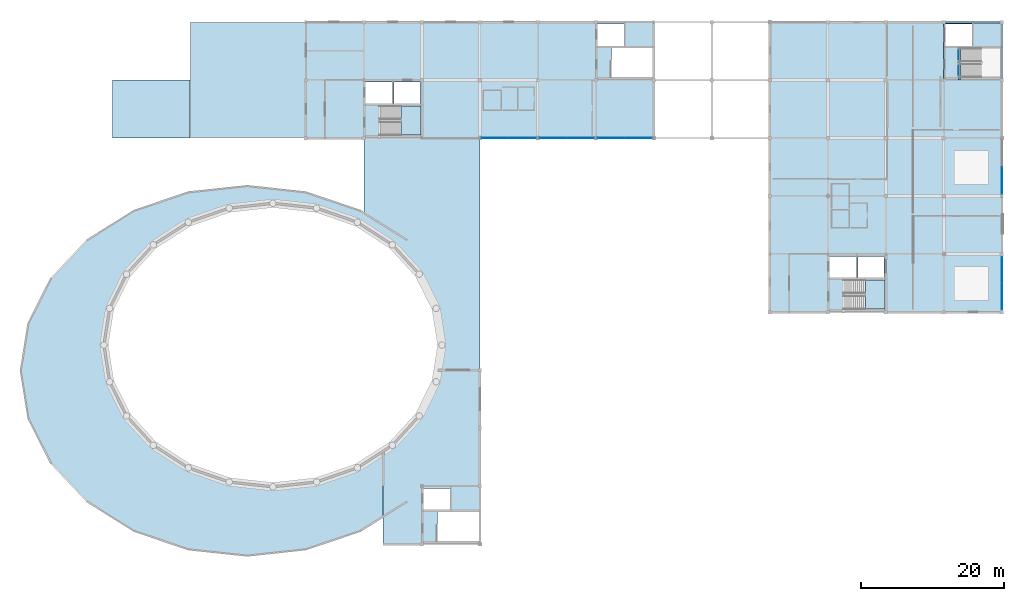
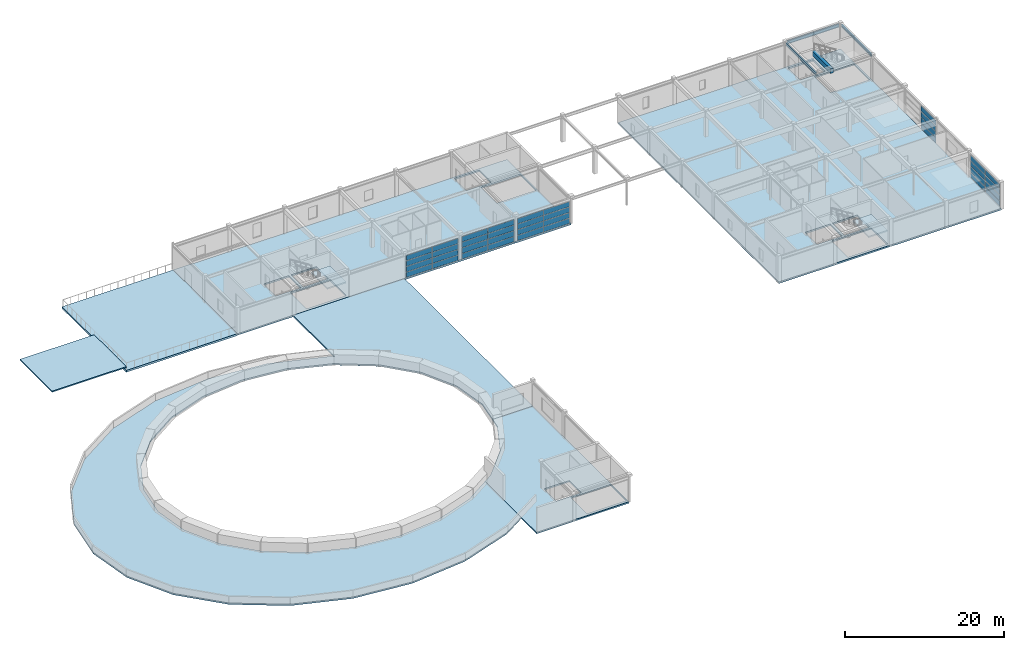
# One storey, part 14 of 26: 36 plates, 8 slabs, 4 beams, 7 elements without a shape of their own.
"""IFC4 building model written with IfcOpenShell, lengths in metres."""

from ifc_helpers import new_model, si_unit, direction, frame, origin, origin_2d, place, context, subcontext, project, spatial, polyline, rectangle, i_section, outline, extrude, material, layer, layer_set, material_profile, profile_set, type_object, element, aggregate, save


model = new_model("IFC4")

# Units and contexts
model_context = context("Model", 3, precision=1e-05, world=origin(), true_north=direction((0.0, 1.0)))
body_context = subcontext(model_context, "Body", "Model", "MODEL_VIEW")
ifc_project = project(units=[si_unit("LENGTHUNIT", "METRE"), si_unit("AREAUNIT", "SQUARE_METRE"), si_unit("VOLUMEUNIT", "CUBIC_METRE"), si_unit("PLANEANGLEUNIT", "RADIAN"), si_unit("MASSUNIT", "GRAM", prefix="KILO")], contexts=[model_context])

# Site, building, storey
site_placement = place(None, origin())
site = spatial("IfcSite", under=ifc_project, at=site_placement, CompositionType="ELEMENT")
building_placement = place(site_placement, origin())
building = spatial("IfcBuilding", under=site, at=building_placement, Name="Parian Resonance Hall", CompositionType="ELEMENT")
storey_placement = place(building_placement, frame((0.0, 0.0, 19.199951171875)))
storey = spatial("IfcBuildingStorey", under=building, at=storey_placement, Name="L04", CompositionType="ELEMENT", Elevation=19.199951171875)

# Beams
ifc_material_1 = material(Name="Concrete C40/50", Category="concrete")
ifc_material_profile_1 = material_profile(ifc_material_1, rectangle(XDim=0.39990234375, YDim=0.699951171875, at=origin_2d()), Name="RC-BM-400x700")
ifc_profile_set_1 = profile_set([ifc_material_profile_1], Name="Concrete C40/50")
beam_type_1 = type_object("IfcBeamType", Name="BM-RC400x700", PredefinedType="BEAM", material=ifc_profile_set_1)
beam_1_placement = place(storey_placement, frame((139.840087890625, 81.0, 3.610107421875), z_axis=(0.0, 1.0, 0.0), x_axis=(-1.0, 0.0, 0.0)))
element("IfcBeam", 1, at=beam_1_placement, inside=storey, type_object=beam_type_1, Name="Core K6 stair arrival trimmer beam L04", PredefinedType="BEAM", context=body_context, shape_type="SweptSolid", body=[
    extrude(rectangle(XDim=0.39990234375, YDim=0.699951171875, at=origin_2d()), origin(), (0.0, 0.0, 1.0), 4.610107421875),
])
ifc_material_2 = material(Name="Steel S355", Category="steel")
ifc_material_profile_2 = material_profile(ifc_material_2, i_section(OverallWidth=0.2548828125, OverallDepth=0.35693359375, WebThickness=0.010498046875, FlangeThickness=0.018310546875, FilletRadius=0.01513671875, at=origin_2d()), Name="W360x101")
ifc_profile_set_2 = profile_set([ifc_material_profile_2], Name="Steel S355")
beam_type_2 = type_object("IfcBeamType", Name="BM-W360x101", PredefinedType="SPANDREL", material=ifc_profile_set_2)
beam_2_placement = place(storey_placement, frame((145.800048828125, 81.25, 3.781494140625), z_axis=(0.0, 1.0, 0.0), x_axis=(-1.0, 0.0, 0.0)))
element("IfcBeam", 2, at=beam_2_placement, inside=storey, type_object=beam_type_2, Name="GY-L04-1012", PredefinedType="SPANDREL", context=body_context, shape_type="SweptSolid", body=[
    extrude(i_section(OverallWidth=0.2548828125, OverallDepth=0.35693359375, WebThickness=0.010498046875, FlangeThickness=0.018310546875, FilletRadius=0.01513671875, at=origin_2d()), origin(), (0.0, 0.0, 1.0), 7.60009765625),
])
ifc_material_3 = material(Name="Steel S355", Category="steel")
ifc_material_profile_3 = material_profile(ifc_material_3, i_section(OverallWidth=0.180908203125, OverallDepth=0.4169921875, WebThickness=0.010986328125, FlangeThickness=0.018310546875, FilletRadius=0.01513671875, at=origin_2d()), Name="W410x85")
ifc_profile_set_3 = profile_set([ifc_material_profile_3], Name="Steel S355")
beam_type_3 = type_object("IfcBeamType", Name="BM-W410x85", PredefinedType="SPANDREL", material=ifc_profile_set_3)
beam_3_placement = place(storey_placement, frame((137.699951171875, 81.154052734375, 3.75146484375), z_axis=(0.0, 1.0, 0.0), x_axis=(-1.0, 0.0, 0.0)))
element("IfcBeam", 3, at=beam_3_placement, inside=storey, type_object=beam_type_3, Name="GY-L04-1007", PredefinedType="SPANDREL", context=body_context, shape_type="SweptSolid", body=[
    extrude(i_section(OverallWidth=0.180908203125, OverallDepth=0.4169921875, WebThickness=0.010986328125, FlangeThickness=0.018310546875, FilletRadius=0.01513671875, at=origin_2d()), origin(), (0.0, 0.0, 1.0), 7.696044921875),
])
ifc_material_4 = material(Name="Steel S355", Category="steel")
ifc_material_profile_4 = material_profile(ifc_material_4, i_section(OverallWidth=0.194091796875, OverallDepth=0.468994140625, WebThickness=0.0126953125, FlangeThickness=0.0205078125, FilletRadius=0.01513671875, at=origin_2d()), Name="W460x106")
ifc_profile_set_4 = profile_set([ifc_material_profile_4], Name="Steel S355")
beam_type_4 = type_object("IfcBeamType", Name="BM-W460x106", PredefinedType="SPANDREL", material=ifc_profile_set_4)
beam_4_placement = place(storey_placement, frame((137.949951171875, 89.10009765625, 3.7255859375), z_axis=(1.0, 0.0, 0.0), x_axis=(0.0, 1.0, 0.0)))
element("IfcBeam", 4, at=beam_4_placement, inside=storey, type_object=beam_type_4, Name="GX-L04-0967", PredefinedType="SPANDREL", context=body_context, shape_type="SweptSolid", body=[
    extrude(i_section(OverallWidth=0.194091796875, OverallDepth=0.468994140625, WebThickness=0.0126953125, FlangeThickness=0.0205078125, FilletRadius=0.01513671875, at=origin_2d()), origin(), (0.0, 0.0, 1.0), 7.60009765625),
])

# Curtain wall, plates
ifc_material_5 = material(Name="Bronze-anodised aluminium frame", Category="aluminium")
curtain_wall_type_1 = type_object("IfcCurtainWallType", Name="CW-SYS-01", PredefinedType="NOTDEFINED", material=ifc_material_5)
curtain_wall_1_placement = place(storey_placement, origin())
curtain_wall_1 = element("IfcCurtainWall", 5, at=curtain_wall_1_placement, inside=storey, type_object=curtain_wall_type_1, Name="Curtain wall CW-L04-150", PredefinedType="NOTDEFINED")
ifc_material_6 = material(Name="Acoustic laminated double glazing", Category="glass")
ifc_layer_1 = layer(ifc_material_6, 0.02197265625)
ifc_layer_set_1 = layer_set([ifc_layer_1], Name="Acoustic laminated double glazing")
plate_type_1 = type_object("IfcPlateType", Name="CWP-IGU22", PredefinedType="CURTAIN_PANEL", material=ifc_layer_set_1)
plate_1_placement = place(storey_placement, frame((145.800048828125, 54.4912109375, 0.06689453125), z_axis=(0.0, 0.0, 1.0), x_axis=(0.0, -1.0, 0.0)))
plate_1 = element("IfcPlate", 6, at=plate_1_placement, type_object=plate_type_1, Name="CW-01 panel 1.1", PredefinedType="CURTAIN_PANEL", context=body_context, shape_type="SweptSolid", body=[
    extrude(rectangle(XDim=3.607421875, YDim=0.02197265625, at=origin_2d()), origin(), (0.0, 0.0, 1.0), 0.794677734375),
])
plate_2_placement = place(storey_placement, frame((145.800048828125, 54.4912109375, 0.936767578125), z_axis=(0.0, 0.0, 1.0), x_axis=(0.0, -1.0, 0.0)))
plate_2 = element("IfcPlate", 7, at=plate_2_placement, type_object=plate_type_1, Name="CW-01 panel 1.2", PredefinedType="CURTAIN_PANEL", context=body_context, shape_type="SweptSolid", body=[
    extrude(rectangle(XDim=3.607421875, YDim=0.02197265625, at=origin_2d()), origin(), (0.0, 0.0, 1.0), 0.82421875),
])
plate_3_placement = place(storey_placement, frame((145.800048828125, 54.4912109375, 1.836181640625), z_axis=(0.0, 0.0, 1.0), x_axis=(0.0, -1.0, 0.0)))
plate_3 = element("IfcPlate", 8, at=plate_3_placement, type_object=plate_type_1, Name="CW-01 panel 1.3", PredefinedType="CURTAIN_PANEL", context=body_context, shape_type="SweptSolid", body=[
    extrude(rectangle(XDim=3.607421875, YDim=0.02197265625, at=origin_2d()), origin(), (0.0, 0.0, 1.0), 0.82421875),
])
plate_4_placement = place(storey_placement, frame((145.800048828125, 54.4912109375, 2.7353515625), z_axis=(0.0, 0.0, 1.0), x_axis=(0.0, -1.0, 0.0)))
plate_4 = element("IfcPlate", 9, at=plate_4_placement, type_object=plate_type_1, Name="CW-01 panel 1.4", PredefinedType="CURTAIN_PANEL", context=body_context, shape_type="SweptSolid", body=[
    extrude(rectangle(XDim=3.607421875, YDim=0.02197265625, at=origin_2d()), origin(), (0.0, 0.0, 1.0), 0.796630859375),
])
plate_5_placement = place(storey_placement, frame((145.800048828125, 50.808837890625, 0.06689453125), z_axis=(0.0, 0.0, 1.0), x_axis=(0.0, -1.0, 0.0)))
plate_5 = element("IfcPlate", 10, at=plate_5_placement, type_object=plate_type_1, Name="CW-01 panel 2.1", PredefinedType="CURTAIN_PANEL", context=body_context, shape_type="SweptSolid", body=[
    extrude(rectangle(XDim=3.607421875, YDim=0.02197265625, at=origin_2d()), origin(), (0.0, 0.0, 1.0), 0.794677734375),
])
plate_6_placement = place(storey_placement, frame((145.800048828125, 50.808837890625, 0.936767578125), z_axis=(0.0, 0.0, 1.0), x_axis=(0.0, -1.0, 0.0)))
plate_6 = element("IfcPlate", 11, at=plate_6_placement, type_object=plate_type_1, Name="CW-01 panel 2.2", PredefinedType="CURTAIN_PANEL", context=body_context, shape_type="SweptSolid", body=[
    extrude(rectangle(XDim=3.607421875, YDim=0.02197265625, at=origin_2d()), origin(), (0.0, 0.0, 1.0), 0.82421875),
])
plate_7_placement = place(storey_placement, frame((145.800048828125, 50.808837890625, 1.836181640625), z_axis=(0.0, 0.0, 1.0), x_axis=(0.0, -1.0, 0.0)))
plate_7 = element("IfcPlate", 12, at=plate_7_placement, type_object=plate_type_1, Name="CW-01 panel 2.3", PredefinedType="CURTAIN_PANEL", context=body_context, shape_type="SweptSolid", body=[
    extrude(rectangle(XDim=3.607421875, YDim=0.02197265625, at=origin_2d()), origin(), (0.0, 0.0, 1.0), 0.82421875),
])
plate_8_placement = place(storey_placement, frame((145.800048828125, 50.808837890625, 2.7353515625), z_axis=(0.0, 0.0, 1.0), x_axis=(0.0, -1.0, 0.0)))
plate_8 = element("IfcPlate", 13, at=plate_8_placement, type_object=plate_type_1, Name="CW-01 panel 2.4", PredefinedType="CURTAIN_PANEL", context=body_context, shape_type="SweptSolid", body=[
    extrude(rectangle(XDim=3.607421875, YDim=0.02197265625, at=origin_2d()), origin(), (0.0, 0.0, 1.0), 0.796630859375),
])
aggregate(curtain_wall_1, [plate_1, plate_2, plate_3, plate_4, plate_5, plate_6, plate_7, plate_8])

curtain_wall_2_placement = place(storey_placement, origin())
curtain_wall_2 = element("IfcCurtainWall", 14, at=curtain_wall_2_placement, inside=storey, type_object=curtain_wall_type_1, Name="Curtain wall CW-L04-109", PredefinedType="NOTDEFINED")
ifc_material_7 = material(Name="Acoustic laminated double glazing", Category="glass")
ifc_layer_2 = layer(ifc_material_7, 0.031982421875)
ifc_layer_set_2 = layer_set([ifc_layer_2], Name="Acoustic laminated double glazing")
plate_type_2 = type_object("IfcPlateType", Name="CWP-IGU32", PredefinedType="CURTAIN_PANEL", material=ifc_layer_set_2)
plate_9_placement = place(storey_placement, frame((78.856201171875, 72.89990234375, 0.05712890625), z_axis=(0.0, 0.0, 1.0), x_axis=(-1.0, 0.0, 0.0)))
plate_9 = element("IfcPlate", 15, at=plate_9_placement, type_object=plate_type_2, Name="CW-01 panel 1.1", PredefinedType="CURTAIN_PANEL", context=body_context, shape_type="SweptSolid", body=[
    extrude(rectangle(XDim=3.74755859375, YDim=0.031982421875, at=origin_2d()), origin(), (0.0, 0.0, 1.0), 0.78173828125),
])
plate_10_placement = place(storey_placement, frame((78.856201171875, 72.89990234375, 0.90380859375), z_axis=(0.0, 0.0, 1.0), x_axis=(-1.0, 0.0, 0.0)))
plate_10 = element("IfcPlate", 16, at=plate_10_placement, type_object=plate_type_2, Name="CW-01 panel 1.2", PredefinedType="CURTAIN_PANEL", context=body_context, shape_type="SweptSolid", body=[
    extrude(rectangle(XDim=3.74755859375, YDim=0.031982421875, at=origin_2d()), origin(), (0.0, 0.0, 1.0), 0.806396484375),
])
plate_11_placement = place(storey_placement, frame((78.856201171875, 72.89990234375, 1.775146484375), z_axis=(0.0, 0.0, 1.0), x_axis=(-1.0, 0.0, 0.0)))
plate_11 = element("IfcPlate", 17, at=plate_11_placement, type_object=plate_type_2, Name="CW-01 panel 1.3", PredefinedType="CURTAIN_PANEL", context=body_context, shape_type="SweptSolid", body=[
    extrude(rectangle(XDim=3.74755859375, YDim=0.031982421875, at=origin_2d()), origin(), (0.0, 0.0, 1.0), 0.80615234375),
])
plate_12_placement = place(storey_placement, frame((78.856201171875, 72.89990234375, 2.646240234375), z_axis=(0.0, 0.0, 1.0), x_axis=(-1.0, 0.0, 0.0)))
plate_12 = element("IfcPlate", 18, at=plate_12_placement, type_object=plate_type_2, Name="CW-01 panel 1.4", PredefinedType="CURTAIN_PANEL", context=body_context, shape_type="SweptSolid", body=[
    extrude(rectangle(XDim=3.74755859375, YDim=0.031982421875, at=origin_2d()), origin(), (0.0, 0.0, 1.0), 0.78369140625),
])
plate_13_placement = place(storey_placement, frame((75.043701171875, 72.89990234375, 0.05712890625), z_axis=(0.0, 0.0, 1.0), x_axis=(-1.0, 0.0, 0.0)))
plate_13 = element("IfcPlate", 19, at=plate_13_placement, type_object=plate_type_2, Name="CW-01 panel 2.1", PredefinedType="CURTAIN_PANEL", context=body_context, shape_type="SweptSolid", body=[
    extrude(rectangle(XDim=3.74755859375, YDim=0.031982421875, at=origin_2d()), origin(), (0.0, 0.0, 1.0), 0.78173828125),
])
plate_14_placement = place(storey_placement, frame((75.043701171875, 72.89990234375, 0.90380859375), z_axis=(0.0, 0.0, 1.0), x_axis=(-1.0, 0.0, 0.0)))
plate_14 = element("IfcPlate", 20, at=plate_14_placement, type_object=plate_type_2, Name="CW-01 panel 2.2", PredefinedType="CURTAIN_PANEL", context=body_context, shape_type="SweptSolid", body=[
    extrude(rectangle(XDim=3.74755859375, YDim=0.031982421875, at=origin_2d()), origin(), (0.0, 0.0, 1.0), 0.806396484375),
])
plate_15_placement = place(storey_placement, frame((75.043701171875, 72.89990234375, 1.775146484375), z_axis=(0.0, 0.0, 1.0), x_axis=(-1.0, 0.0, 0.0)))
plate_15 = element("IfcPlate", 21, at=plate_15_placement, type_object=plate_type_2, Name="CW-01 panel 2.3", PredefinedType="CURTAIN_PANEL", context=body_context, shape_type="SweptSolid", body=[
    extrude(rectangle(XDim=3.74755859375, YDim=0.031982421875, at=origin_2d()), origin(), (0.0, 0.0, 1.0), 0.80615234375),
])
plate_16_placement = place(storey_placement, frame((75.043701171875, 72.89990234375, 2.646240234375), z_axis=(0.0, 0.0, 1.0), x_axis=(-1.0, 0.0, 0.0)))
plate_16 = element("IfcPlate", 22, at=plate_16_placement, type_object=plate_type_2, Name="CW-01 panel 2.4", PredefinedType="CURTAIN_PANEL", context=body_context, shape_type="SweptSolid", body=[
    extrude(rectangle(XDim=3.74755859375, YDim=0.031982421875, at=origin_2d()), origin(), (0.0, 0.0, 1.0), 0.78369140625),
])
aggregate(curtain_wall_2, [plate_9, plate_10, plate_11, plate_12, plate_13, plate_14, plate_15, plate_16])

ifc_material_8 = material(Name="Bronze-anodised aluminium frame", Category="aluminium")
curtain_wall_type_2 = type_object("IfcCurtainWallType", Name="CW-SYS-02", PredefinedType="NOTDEFINED", material=ifc_material_8)
curtain_wall_3_placement = place(storey_placement, origin())
curtain_wall_3 = element("IfcCurtainWall", 23, at=curtain_wall_3_placement, inside=storey, type_object=curtain_wall_type_2, Name="Curtain wall CW-L04-115", PredefinedType="NOTDEFINED")
plate_17_placement = place(storey_placement, frame((86.956298828125, 72.89990234375, 0.05712890625), z_axis=(0.0, 0.0, 1.0), x_axis=(-1.0, 0.0, 0.0)))
plate_17 = element("IfcPlate", 24, at=plate_17_placement, type_object=plate_type_2, Name="CW-02 panel 1.1", PredefinedType="CURTAIN_PANEL", context=body_context, shape_type="SweptSolid", body=[
    extrude(rectangle(XDim=3.74755859375, YDim=0.031982421875, at=origin_2d()), origin(), (0.0, 0.0, 1.0), 0.794677734375),
])
plate_18_placement = place(storey_placement, frame((86.956298828125, 72.89990234375, 0.916748046875), z_axis=(0.0, 0.0, 1.0), x_axis=(-1.0, 0.0, 0.0)))
plate_18 = element("IfcPlate", 25, at=plate_18_placement, type_object=plate_type_2, Name="CW-02 panel 1.2", PredefinedType="CURTAIN_PANEL", context=body_context, shape_type="SweptSolid", body=[
    extrude(rectangle(XDim=3.74755859375, YDim=0.031982421875, at=origin_2d()), origin(), (0.0, 0.0, 1.0), 0.8193359375),
])
plate_19_placement = place(storey_placement, frame((86.956298828125, 72.89990234375, 1.801025390625), z_axis=(0.0, 0.0, 1.0), x_axis=(-1.0, 0.0, 0.0)))
plate_19 = element("IfcPlate", 26, at=plate_19_placement, type_object=plate_type_2, Name="CW-02 panel 1.3", PredefinedType="CURTAIN_PANEL", context=body_context, shape_type="SweptSolid", body=[
    extrude(rectangle(XDim=3.74755859375, YDim=0.031982421875, at=origin_2d()), origin(), (0.0, 0.0, 1.0), 0.8193359375),
])
plate_20_placement = place(storey_placement, frame((86.956298828125, 72.89990234375, 2.685546875), z_axis=(0.0, 0.0, 1.0), x_axis=(-1.0, 0.0, 0.0)))
plate_20 = element("IfcPlate", 27, at=plate_20_placement, type_object=plate_type_2, Name="CW-02 panel 1.4", PredefinedType="CURTAIN_PANEL", context=body_context, shape_type="SweptSolid", body=[
    extrude(rectangle(XDim=3.74755859375, YDim=0.031982421875, at=origin_2d()), origin(), (0.0, 0.0, 1.0), 0.796630859375),
])
plate_21_placement = place(storey_placement, frame((83.143798828125, 72.89990234375, 0.05712890625), z_axis=(0.0, 0.0, 1.0), x_axis=(-1.0, 0.0, 0.0)))
plate_21 = element("IfcPlate", 28, at=plate_21_placement, type_object=plate_type_2, Name="CW-02 panel 2.1", PredefinedType="CURTAIN_PANEL", context=body_context, shape_type="SweptSolid", body=[
    extrude(rectangle(XDim=3.74755859375, YDim=0.031982421875, at=origin_2d()), origin(), (0.0, 0.0, 1.0), 0.794677734375),
])
plate_22_placement = place(storey_placement, frame((83.143798828125, 72.89990234375, 0.916748046875), z_axis=(0.0, 0.0, 1.0), x_axis=(-1.0, 0.0, 0.0)))
plate_22 = element("IfcPlate", 29, at=plate_22_placement, type_object=plate_type_2, Name="CW-02 panel 2.2", PredefinedType="CURTAIN_PANEL", context=body_context, shape_type="SweptSolid", body=[
    extrude(rectangle(XDim=3.74755859375, YDim=0.031982421875, at=origin_2d()), origin(), (0.0, 0.0, 1.0), 0.8193359375),
])
plate_23_placement = place(storey_placement, frame((83.143798828125, 72.89990234375, 1.801025390625), z_axis=(0.0, 0.0, 1.0), x_axis=(-1.0, 0.0, 0.0)))
plate_23 = element("IfcPlate", 30, at=plate_23_placement, type_object=plate_type_2, Name="CW-02 panel 2.3", PredefinedType="CURTAIN_PANEL", context=body_context, shape_type="SweptSolid", body=[
    extrude(rectangle(XDim=3.74755859375, YDim=0.031982421875, at=origin_2d()), origin(), (0.0, 0.0, 1.0), 0.8193359375),
])
plate_24_placement = place(storey_placement, frame((83.143798828125, 72.89990234375, 2.685546875), z_axis=(0.0, 0.0, 1.0), x_axis=(-1.0, 0.0, 0.0)))
plate_24 = element("IfcPlate", 31, at=plate_24_placement, type_object=plate_type_2, Name="CW-02 panel 2.4", PredefinedType="CURTAIN_PANEL", context=body_context, shape_type="SweptSolid", body=[
    extrude(rectangle(XDim=3.74755859375, YDim=0.031982421875, at=origin_2d()), origin(), (0.0, 0.0, 1.0), 0.796630859375),
])
aggregate(curtain_wall_3, [plate_17, plate_18, plate_19, plate_20, plate_21, plate_22, plate_23, plate_24])

ifc_material_9 = material(Name="Bronze-anodised aluminium frame", Category="aluminium")
curtain_wall_type_3 = type_object("IfcCurtainWallType", Name="CW-SYS-03", PredefinedType="NOTDEFINED", material=ifc_material_9)
curtain_wall_4_placement = place(storey_placement, origin())
curtain_wall_4 = element("IfcCurtainWall", 32, at=curtain_wall_4_placement, inside=storey, type_object=curtain_wall_type_3, Name="Curtain wall CW-L04-121", PredefinedType="NOTDEFINED")
plate_25_placement = place(storey_placement, frame((95.05615234375, 72.89990234375, 0.05712890625), z_axis=(0.0, 0.0, 1.0), x_axis=(-1.0, 0.0, 0.0)))
plate_25 = element("IfcPlate", 33, at=plate_25_placement, type_object=plate_type_2, Name="CW-03 panel 1.1", PredefinedType="CURTAIN_PANEL", context=body_context, shape_type="SweptSolid", body=[
    extrude(rectangle(XDim=3.74755859375, YDim=0.031982421875, at=origin_2d()), origin(), (0.0, 0.0, 1.0), 0.78173828125),
])
plate_26_placement = place(storey_placement, frame((95.05615234375, 72.89990234375, 0.90380859375), z_axis=(0.0, 0.0, 1.0), x_axis=(-1.0, 0.0, 0.0)))
plate_26 = element("IfcPlate", 34, at=plate_26_placement, type_object=plate_type_2, Name="CW-03 panel 1.2", PredefinedType="CURTAIN_PANEL", context=body_context, shape_type="SweptSolid", body=[
    extrude(rectangle(XDim=3.74755859375, YDim=0.031982421875, at=origin_2d()), origin(), (0.0, 0.0, 1.0), 0.806396484375),
])
plate_27_placement = place(storey_placement, frame((95.05615234375, 72.89990234375, 1.775146484375), z_axis=(0.0, 0.0, 1.0), x_axis=(-1.0, 0.0, 0.0)))
plate_27 = element("IfcPlate", 35, at=plate_27_placement, type_object=plate_type_2, Name="CW-03 panel 1.3", PredefinedType="CURTAIN_PANEL", context=body_context, shape_type="SweptSolid", body=[
    extrude(rectangle(XDim=3.74755859375, YDim=0.031982421875, at=origin_2d()), origin(), (0.0, 0.0, 1.0), 0.80615234375),
])
plate_28_placement = place(storey_placement, frame((95.05615234375, 72.89990234375, 2.646240234375), z_axis=(0.0, 0.0, 1.0), x_axis=(-1.0, 0.0, 0.0)))
plate_28 = element("IfcPlate", 36, at=plate_28_placement, type_object=plate_type_2, Name="CW-03 panel 1.4", PredefinedType="CURTAIN_PANEL", context=body_context, shape_type="SweptSolid", body=[
    extrude(rectangle(XDim=3.74755859375, YDim=0.031982421875, at=origin_2d()), origin(), (0.0, 0.0, 1.0), 0.78369140625),
])
plate_29_placement = place(storey_placement, frame((91.24365234375, 72.89990234375, 0.05712890625), z_axis=(0.0, 0.0, 1.0), x_axis=(-1.0, 0.0, 0.0)))
plate_29 = element("IfcPlate", 37, at=plate_29_placement, type_object=plate_type_2, Name="CW-03 panel 2.1", PredefinedType="CURTAIN_PANEL", context=body_context, shape_type="SweptSolid", body=[
    extrude(rectangle(XDim=3.74755859375, YDim=0.031982421875, at=origin_2d()), origin(), (0.0, 0.0, 1.0), 0.78173828125),
])
plate_30_placement = place(storey_placement, frame((91.24365234375, 72.89990234375, 0.90380859375), z_axis=(0.0, 0.0, 1.0), x_axis=(-1.0, 0.0, 0.0)))
plate_30 = element("IfcPlate", 38, at=plate_30_placement, type_object=plate_type_2, Name="CW-03 panel 2.2", PredefinedType="CURTAIN_PANEL", context=body_context, shape_type="SweptSolid", body=[
    extrude(rectangle(XDim=3.74755859375, YDim=0.031982421875, at=origin_2d()), origin(), (0.0, 0.0, 1.0), 0.806396484375),
])
plate_31_placement = place(storey_placement, frame((91.24365234375, 72.89990234375, 1.775146484375), z_axis=(0.0, 0.0, 1.0), x_axis=(-1.0, 0.0, 0.0)))
plate_31 = element("IfcPlate", 39, at=plate_31_placement, type_object=plate_type_2, Name="CW-03 panel 2.3", PredefinedType="CURTAIN_PANEL", context=body_context, shape_type="SweptSolid", body=[
    extrude(rectangle(XDim=3.74755859375, YDim=0.031982421875, at=origin_2d()), origin(), (0.0, 0.0, 1.0), 0.80615234375),
])
plate_32_placement = place(storey_placement, frame((91.24365234375, 72.89990234375, 2.646240234375), z_axis=(0.0, 0.0, 1.0), x_axis=(-1.0, 0.0, 0.0)))
plate_32 = element("IfcPlate", 40, at=plate_32_placement, type_object=plate_type_2, Name="CW-03 panel 2.4", PredefinedType="CURTAIN_PANEL", context=body_context, shape_type="SweptSolid", body=[
    extrude(rectangle(XDim=3.74755859375, YDim=0.031982421875, at=origin_2d()), origin(), (0.0, 0.0, 1.0), 0.78369140625),
])
aggregate(curtain_wall_4, [plate_25, plate_26, plate_27, plate_28, plate_29, plate_30, plate_31, plate_32])

curtain_wall_5_placement = place(storey_placement, origin())
curtain_wall_5 = element("IfcCurtainWall", 41, at=curtain_wall_5_placement, inside=storey, type_object=curtain_wall_type_3, Name="Curtain wall CW-L04-151", PredefinedType="NOTDEFINED")
plate_33_placement = place(storey_placement, frame((145.800048828125, 66.965576171875, 0.05712890625), z_axis=(0.0, 0.0, 1.0), x_axis=(0.0, -1.0, 0.0)))
plate_33 = element("IfcPlate", 42, at=plate_33_placement, type_object=plate_type_2, Name="CW-03 panel 2.1", PredefinedType="CURTAIN_PANEL", context=body_context, shape_type="SweptSolid", body=[
    extrude(rectangle(XDim=3.73291015625, YDim=0.031982421875, at=origin_2d()), origin(), (0.0, 0.0, 1.0), 0.809814453125),
])
plate_34_placement = place(storey_placement, frame((145.800048828125, 66.965576171875, 0.931640625), z_axis=(0.0, 0.0, 1.0), x_axis=(0.0, -1.0, 0.0)))
plate_34 = element("IfcPlate", 43, at=plate_34_placement, type_object=plate_type_2, Name="CW-03 panel 2.2", PredefinedType="CURTAIN_PANEL", context=body_context, shape_type="SweptSolid", body=[
    extrude(rectangle(XDim=3.73291015625, YDim=0.031982421875, at=origin_2d()), origin(), (0.0, 0.0, 1.0), 0.834228515625),
])
plate_35_placement = place(storey_placement, frame((145.800048828125, 66.965576171875, 1.8310546875), z_axis=(0.0, 0.0, 1.0), x_axis=(0.0, -1.0, 0.0)))
plate_35 = element("IfcPlate", 44, at=plate_35_placement, type_object=plate_type_2, Name="CW-03 panel 2.3", PredefinedType="CURTAIN_PANEL", context=body_context, shape_type="SweptSolid", body=[
    extrude(rectangle(XDim=3.73291015625, YDim=0.031982421875, at=origin_2d()), origin(), (0.0, 0.0, 1.0), 0.834228515625),
])
plate_36_placement = place(storey_placement, frame((145.800048828125, 66.965576171875, 2.73046875), z_axis=(0.0, 0.0, 1.0), x_axis=(0.0, -1.0, 0.0)))
plate_36 = element("IfcPlate", 45, at=plate_36_placement, type_object=plate_type_2, Name="CW-03 panel 2.4", PredefinedType="CURTAIN_PANEL", context=body_context, shape_type="SweptSolid", body=[
    extrude(rectangle(XDim=3.73291015625, YDim=0.031982421875, at=origin_2d()), origin(), (0.0, 0.0, 1.0), 0.811767578125),
])
aggregate(curtain_wall_5, [plate_33, plate_34, plate_35, plate_36])

# Slabs
ifc_material_10 = material(Name="Concrete C35/45", Category="concrete")
ifc_layer_3 = layer(ifc_material_10, 0.219970703125)
ifc_layer_set_3 = layer_set([ifc_layer_3], Name="Concrete C35/45")
slab_type_1 = type_object("IfcSlabType", Name="SLB-FLR-220", PredefinedType="FLOOR", material=ifc_layer_set_3)
slab_1_placement = place(storey_placement, frame((0.0, 0.0, -0.219970703125)))
element("IfcSlab", 46, at=slab_1_placement, inside=storey, type_object=slab_type_1, Name="L04 main hall south-east gallery slab", PredefinedType="FLOOR", context=body_context, shape_type="SweptSolid", body=[
    extrude(outline(polyline([(72.89990234375, 40.5), (67.05078125, 40.5), (66.7958984375, 38.87548828125), (64.438232421875, 34.10009765625), (60.687744140625, 29.999267578125), (59.39990234375, 29.17041015625), (59.39990234375, 16.199951171875), (72.89990234375, 16.199951171875), (72.89990234375, 40.5)]), holes=[polyline([(66.9951171875, 20.699951171875), (72.760009765625, 20.699951171875), (72.760009765625, 16.60009765625), (66.9951171875, 16.60009765625), (66.9951171875, 20.699951171875)]), polyline([(65.0400390625, 24.0), (68.699951171875, 24.0), (68.699951171875, 20.949951171875), (65.0400390625, 20.949951171875), (65.0400390625, 24.0)])]), origin(), (0.0, 0.0, 1.0), 0.219970703125),
])
ifc_material_11 = material(Name="Concrete C35/45", Category="concrete")
ifc_layer_4 = layer(ifc_material_11, 0.239990234375)
ifc_layer_set_4 = layer_set([ifc_layer_4], Name="Concrete C35/45")
slab_type_2 = type_object("IfcSlabType", Name="SLB-FLR-240", PredefinedType="FLOOR", material=ifc_layer_set_4)
slab_2_placement = place(storey_placement, frame((0.0, 0.0, -0.239990234375)))
element("IfcSlab", 47, at=slab_2_placement, inside=storey, type_object=slab_type_2, Name="L04 panorama gallery and archive link slab", PredefinedType="FLOOR", context=body_context, shape_type="SweptSolid", body=[
    extrude(outline(polyline([(48.60009765625, 72.89990234375), (97.199951171875, 72.89990234375), (97.199951171875, 89.10009765625), (48.60009765625, 89.10009765625), (48.60009765625, 72.89990234375)]), holes=[polyline([(64.659912109375, 77.39990234375), (64.659912109375, 73.300048828125), (58.89501953125, 73.300048828125), (58.89501953125, 77.39990234375), (64.659912109375, 77.39990234375)]), polyline([(60.60009765625, 80.699951171875), (60.60009765625, 77.64990234375), (56.93994140625, 77.64990234375), (56.93994140625, 80.699951171875), (60.60009765625, 80.699951171875)]), polyline([(64.56005859375, 80.699951171875), (64.56005859375, 77.64990234375), (60.89990234375, 77.64990234375), (60.89990234375, 80.699951171875), (64.56005859375, 80.699951171875)]), polyline([(97.02001953125, 81.39990234375), (91.27490234375, 81.39990234375), (91.27490234375, 85.4599609375), (97.02001953125, 85.4599609375), (97.02001953125, 81.39990234375)]), polyline([(93.0, 85.75), (89.340087890625, 85.75), (89.340087890625, 88.800048828125), (93.0, 88.800048828125), (93.0, 85.75)])]), origin(), (0.0, 0.0, 1.0), 0.239990234375),
])
ifc_material_12 = material(Name="Concrete C35/45", Category="concrete")
ifc_layer_5 = layer(ifc_material_12, 0.25)
ifc_layer_set_5 = layer_set([ifc_layer_5], Name="Concrete C35/45")
slab_type_3 = type_object("IfcSlabType", Name="SLB-FLR-250", PredefinedType="FLOOR", material=ifc_layer_set_5)
slab_3_placement = place(storey_placement, frame((0.0, 0.0, -0.25)))
element("IfcSlab", 48, at=slab_3_placement, inside=storey, type_object=slab_type_3, Name="Music archive and artistic administration L04 slab", PredefinedType="FLOOR", context=body_context, shape_type="SweptSolid", body=[
    extrude(outline(polyline([(113.39990234375, 48.60009765625), (145.800048828125, 48.60009765625), (145.800048828125, 89.10009765625), (113.39990234375, 89.10009765625), (113.39990234375, 48.60009765625)]), holes=[polyline([(129.4599609375, 53.10009765625), (129.4599609375, 49.0), (123.695068359375, 49.0), (123.695068359375, 53.10009765625), (129.4599609375, 53.10009765625)]), polyline([(125.39990234375, 56.39990234375), (125.39990234375, 53.35009765625), (121.739990234375, 53.35009765625), (121.739990234375, 56.39990234375), (125.39990234375, 56.39990234375)]), polyline([(129.360107421875, 56.39990234375), (129.360107421875, 53.35009765625), (125.699951171875, 53.35009765625), (125.699951171875, 56.39990234375), (129.360107421875, 56.39990234375)]), polyline([(145.6201171875, 81.39990234375), (139.875, 81.39990234375), (139.875, 85.4599609375), (145.6201171875, 85.4599609375), (145.6201171875, 81.39990234375)]), polyline([(141.60009765625, 85.75), (137.93994140625, 85.75), (137.93994140625, 88.800048828125), (141.60009765625, 88.800048828125), (141.60009765625, 85.75)])]), origin(), (0.0, 0.0, 1.0), 0.25),
])

# Stair, slab
ifc_material_13 = material(Name="Concrete C40/50", Category="concrete")
stair_type = type_object("IfcStairType", Name="STAIR-CORE-1850", PredefinedType="HALF_TURN_STAIR", material=ifc_material_13)
stair_1_placement = place(storey_placement, origin())
stair_1 = element("IfcStair", 49, at=stair_1_placement, inside=storey, type_object=stair_type, Name="L04 ST-01", PredefinedType="HALF_TURN_STAIR")
ifc_material_14 = material(Name="Concrete C40/50", Category="concrete")
ifc_layer_6 = layer(ifc_material_14, 0.199951171875)
ifc_layer_set_6 = layer_set([ifc_layer_6], Name="Concrete C40/50")
slab_type_4 = type_object("IfcSlabType", Name="SLB-LANDING-200", PredefinedType="LANDING", material=ifc_layer_set_6)
slab_4_placement = place(storey_placement, frame((0.0, 0.0, 1.900146484375)))
slab_4 = element("IfcSlab", 50, at=slab_4_placement, type_object=slab_type_4, Name="ST-01 landing 1", PredefinedType="LANDING", context=body_context, shape_type="SweptSolid", body=[
    extrude(outline(polyline([(61.919921875, 73.300048828125), (64.659912109375, 73.300048828125), (64.659912109375, 77.39990234375), (61.919921875, 77.39990234375), (61.919921875, 73.300048828125)])), origin(), (0.0, 0.0, 1.0), 0.199951171875),
])
aggregate(stair_1, [slab_4])

stair_2_placement = place(storey_placement, origin())
stair_2 = element("IfcStair", 51, at=stair_2_placement, inside=storey, type_object=stair_type, Name="L04 ST-02", PredefinedType="HALF_TURN_STAIR")
slab_5_placement = place(storey_placement, frame((0.0, 0.0, 1.900146484375)))
slab_5 = element("IfcSlab", 52, at=slab_5_placement, type_object=slab_type_4, Name="ST-02 landing 1", PredefinedType="LANDING", context=body_context, shape_type="SweptSolid", body=[
    extrude(outline(polyline([(126.719970703125, 49.0), (129.4599609375, 49.0), (129.4599609375, 53.10009765625), (126.719970703125, 53.10009765625), (126.719970703125, 49.0)])), origin(), (0.0, 0.0, 1.0), 0.199951171875),
])
aggregate(stair_2, [slab_5])

# Slabs
ifc_material_15 = material(Name="Concrete C35/45", Category="concrete")
ifc_layer_7 = layer(ifc_material_15, 0.2099609375)
ifc_layer_set_7 = layer_set([ifc_layer_7], Name="Concrete C35/45")
slab_type_5 = type_object("IfcSlabType", Name="SLB-ROOF-180", PredefinedType="ROOF", material=ifc_layer_set_7)
slab_6_placement = place(storey_placement, frame((0.0, 0.0, 0.420166015625)))
element("IfcSlab", 53, at=slab_6_placement, inside=storey, type_object=slab_type_5, Name="Core K4 head-house roof slab", PredefinedType="ROOF", context=body_context, shape_type="SweptSolid", body=[
    extrude(outline(polyline([(21.60009765625, 72.89990234375), (32.39990234375, 72.89990234375), (32.39990234375, 81.0), (21.60009765625, 81.0), (21.60009765625, 72.89990234375)])), origin(), (0.0, 0.0, 1.0), 0.179931640625),
])
ifc_material_16 = material(Name="Concrete C35/45", Category="concrete")
ifc_layer_8 = layer(ifc_material_16, 0.22998046875)
ifc_layer_set_8 = layer_set([ifc_layer_8], Name="Concrete C35/45")
slab_type_6 = type_object("IfcSlabType", Name="SLB-ROOF-200", PredefinedType="ROOF", material=ifc_layer_set_8)
slab_7_placement = place(storey_placement, frame((0.0, 0.0, -0.22998046875)))
element("IfcSlab", 54, at=slab_7_placement, inside=storey, type_object=slab_type_6, Name="Elliptical Ring 3 upper roof slab", PredefinedType="ROOF", context=body_context, shape_type="SweptSolid", body=[
    extrude(outline(polyline([(59.39990234375, 20.061279296875), (59.39990234375, 29.17041015625), (55.800048828125, 26.852783203125), (50.108154296875, 24.874755859375), (44.0, 24.199951171875), (37.891845703125, 24.874755859375), (32.199951171875, 26.852783203125), (27.312255859375, 29.999267578125), (23.561767578125, 34.10009765625), (21.2041015625, 38.87548828125), (20.39990234375, 44.0), (21.2041015625, 49.12451171875), (23.561767578125, 53.89990234375), (27.312255859375, 58.000732421875), (32.199951171875, 61.147216796875), (37.891845703125, 63.125244140625), (44.0, 63.800048828125), (50.108154296875, 63.125244140625), (55.800048828125, 61.147216796875), (60.687744140625, 58.000732421875), (64.438232421875, 53.89990234375), (66.7958984375, 49.12451171875), (67.60009765625, 44.0), (67.05078125, 40.5), (71.98388671875, 40.5), (72.89990234375, 40.5), (72.89990234375, 72.89990234375), (56.699951171875, 72.89990234375), (56.699951171875, 62.430419921875), (56.199951171875, 62.743408203125), (48.57861328125, 65.32080078125), (40.39990234375, 66.199951171875), (32.22119140625, 65.32080078125), (24.60009765625, 62.743408203125), (18.055419921875, 58.643310546875), (13.03369140625, 53.300048828125), (9.876708984375, 47.077392578125), (8.800048828125, 40.39990234375), (9.876708984375, 33.722412109375), (13.03369140625, 27.5), (18.055419921875, 22.156494140625), (24.60009765625, 18.056396484375), (32.22119140625, 15.47900390625), (40.39990234375, 14.60009765625), (48.57861328125, 15.47900390625), (56.199951171875, 18.056396484375), (59.39990234375, 20.061279296875)])), origin(), (0.0, 0.0, 1.0), 0.22998046875),
])
ifc_material_17 = material(Name="Concrete C35/45", Category="concrete")
ifc_layer_9 = layer(ifc_material_17, 0.2900390625)
ifc_layer_set_9 = layer_set([ifc_layer_9], Name="Concrete C35/45")
slab_type_7 = type_object("IfcSlabType", Name="SLB-TER-290", PredefinedType="FLOOR", material=ifc_layer_set_9)
slab_8_placement = place(storey_placement, frame((0.0, 0.0, -0.2900390625)))
element("IfcSlab", 55, at=slab_8_placement, inside=storey, type_object=slab_type_7, Name="Foyer Roof Terrace slab", PredefinedType="FLOOR", context=body_context, shape_type="SweptSolid", body=[
    extrude(outline(polyline([(32.39990234375, 72.89990234375), (48.60009765625, 72.89990234375), (48.60009765625, 89.10009765625), (32.39990234375, 89.10009765625), (32.39990234375, 72.89990234375)])), origin(), (0.0, 0.0, 1.0), 0.2900390625),
])

save(model, "model.ifc")
